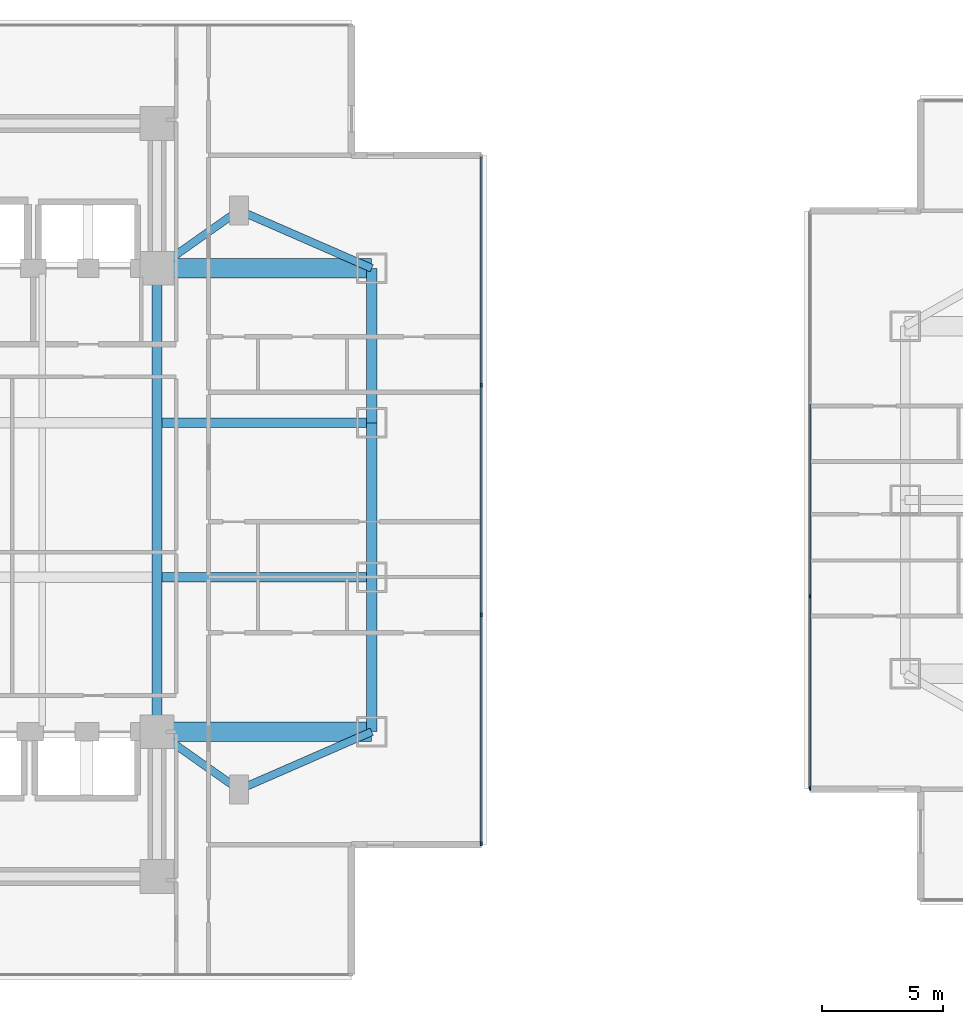
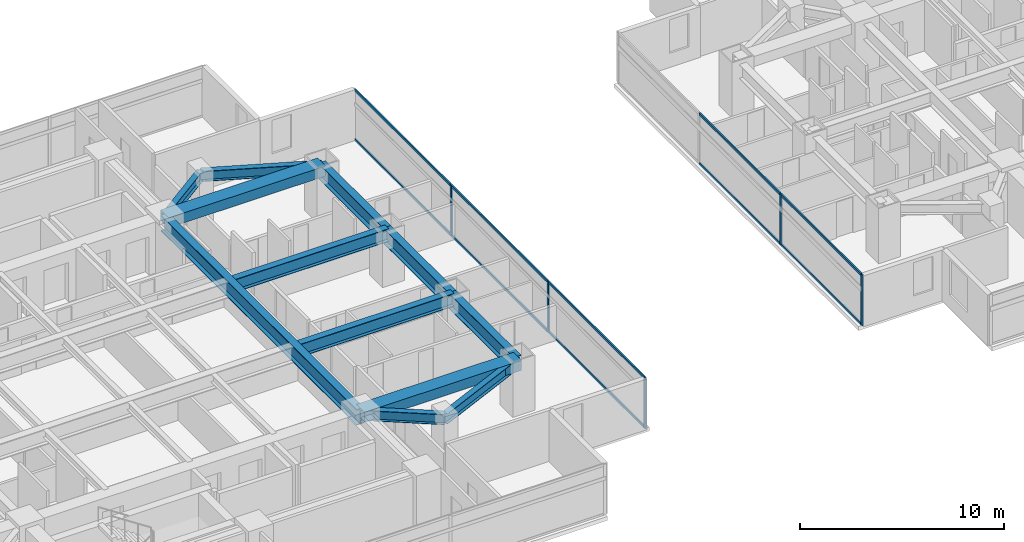
# One storey, part 5 of 26: 15 members, 12 beams, 2 elements without a shape of their own.
"""IFC4 building model written with IfcOpenShell, lengths in metres."""

import ifcopenshell
import ifcopenshell.guid

model = None  # the IFC model being written
_history = None  # IfcOwnerHistory: only IFC2X3 demands one
_inside = {}  # id of a spatial element -> (the spatial element, [elements in it])
_under = {}  # id of a project, library or spatial element -> (it, [spatial elements below it])
_declared = {}  # id of a project -> (the project, [libraries it declares])
_typed = {}  # id of a type object -> (the type object, [elements of that type])
_made_of = {}  # id of a material, layer set ... -> (it, [elements and type objects made of it])


def new_model(schema):
    """Start an empty IFC model of exactly this schema.

    Asked for "IFC4X3", IfcOpenShell would pick the latest addendum, in which some entities
    have other attributes; the version numbers below select the first issue.
    IFC2X3 requires an IfcOwnerHistory on every rooted entity: one is made here for all.
    """
    global model, _history
    if schema == "IFC4X3":
        model = ifcopenshell.file(schema_version=(4, 3, 0, 0))
    else:
        model = ifcopenshell.file(schema=schema)
    _inside.clear()
    _under.clear()
    _declared.clear()
    _typed.clear()
    _made_of.clear()
    _history = None
    if model.schema == "IFC2X3":
        org = make("IfcOrganization", Name="unknown")
        user = make(
            "IfcPersonAndOrganization",
            ThePerson=make("IfcPerson", FamilyName="unknown"),
            TheOrganization=org,
        )
        app = make(
            "IfcApplication",
            ApplicationDeveloper=org,
            Version="unknown",
            ApplicationFullName="unknown",
            ApplicationIdentifier="unknown",
        )
        _history = make(
            "IfcOwnerHistory",
            OwningUser=user,
            OwningApplication=app,
            ChangeAction="ADDED",
            CreationDate=0,
        )
    return model


def make(cls, **values):
    """One entity of the class cls with the attributes given. An attribute that is None is left unset."""
    return model.create_entity(
        cls, **{name: value for name, value in values.items() if value is not None}
    )


def rooted(cls, **values):
    """An entity with a GlobalId (a new one), such as an element, a storey or a relation."""
    return make(cls, GlobalId=ifcopenshell.guid.new(), OwnerHistory=_history, **values)


def si_unit(unit_type, name, prefix=None):
    """IfcSIUnit, for example si_unit("LENGTHUNIT", "METRE", prefix="MILLI")."""
    return make("IfcSIUnit", UnitType=unit_type, Prefix=prefix, Name=name)


def assignment(units):
    """IfcUnitAssignment: the units of a project."""
    return None if units is None else make("IfcUnitAssignment", Units=units)


def point(xyz):
    """IfcCartesianPoint."""
    return None if xyz is None else make("IfcCartesianPoint", Coordinates=xyz)


def direction(xyz):
    """IfcDirection."""
    return None if xyz is None else make("IfcDirection", DirectionRatios=xyz)


def frame(location, z_axis=None, x_axis=None):
    """IfcAxis2Placement3D, a coordinate frame: its origin and axes. An axis left out is left unset."""
    return make(
        "IfcAxis2Placement3D",
        Location=point(location),
        Axis=direction(z_axis),
        RefDirection=direction(x_axis),
    )


def frame_2d(location, x_axis=None):
    """IfcAxis2Placement2D, a coordinate frame in the plane: its origin and x axis."""
    return make(
        "IfcAxis2Placement2D", Location=point(location), RefDirection=direction(x_axis)
    )


def origin():
    """The frame at (0, 0, 0) with its axes left unset."""
    return frame((0.0, 0.0, 0.0))


def origin_2d():
    """The frame at (0, 0) in the plane with its x axis left unset."""
    return frame_2d((0.0, 0.0))


def place(relative_to, where):
    """IfcLocalPlacement: puts the frame where relative to a parent placement (None: the world)."""
    return make(
        "IfcLocalPlacement", PlacementRelTo=relative_to, RelativePlacement=where
    )


def context(
    kind, dimensions, precision=None, world=None, true_north=None, identifier=None
):
    """IfcGeometricRepresentationContext, for example the 3D "Model" context."""
    return make(
        "IfcGeometricRepresentationContext",
        ContextIdentifier=identifier,
        ContextType=kind,
        CoordinateSpaceDimension=dimensions,
        Precision=precision,
        WorldCoordinateSystem=world,
        TrueNorth=true_north,
    )


def subcontext(parent, identifier, kind, view, scale=None):
    """IfcGeometricRepresentationSubContext, for example "Body" below "Model"."""
    return make(
        "IfcGeometricRepresentationSubContext",
        ContextIdentifier=identifier,
        ContextType=kind,
        ParentContext=parent,
        TargetScale=scale,
        TargetView=view,
    )


def project(units=None, contexts=None):
    """IfcProject with its units and contexts."""
    return rooted(
        "IfcProject",
        Name="project",
        RepresentationContexts=contexts,
        UnitsInContext=assignment(units),
    )


def spatial(cls, under=None, at=None, **own):
    """A site, building, storey or space (cls), placed at a placement, below another one or the project."""
    s = rooted(cls, ObjectPlacement=at, **own)
    if under is not None:
        _under.setdefault(under.id(), (under, []))[1].append(s)
    return s


def profile(cls, at=None, kind="AREA", **sizes):
    """A parametric profile (cls). Its sizes go by their IFC names, for example OverallWidth=200.0."""
    return make(cls, ProfileType=kind, Position=at, **sizes)


def rectangle(**sizes):
    """IfcRectangleProfileDef."""
    return profile("IfcRectangleProfileDef", **sizes)


def i_section(**sizes):
    """IfcIShapeProfileDef."""
    return profile("IfcIShapeProfileDef", **sizes)


def extrude(swept, where, along, depth):
    """IfcExtrudedAreaSolid: the profile swept, set in the frame where, extruded along a direction by depth."""
    return make(
        "IfcExtrudedAreaSolid",
        SweptArea=swept,
        Position=where,
        ExtrudedDirection=direction(along),
        Depth=depth,
    )


def shape(context_of_items, identifier, shape_type, items):
    """IfcShapeRepresentation: the items that make up one representation, for example the "Body"."""
    return make(
        "IfcShapeRepresentation",
        ContextOfItems=context_of_items,
        RepresentationIdentifier=identifier,
        RepresentationType=shape_type,
        Items=items,
    )


def material(Name=None, Category=None):
    """IfcMaterial."""
    return make("IfcMaterial", Name=Name, Category=Category)


def material_profile(
    of_material, cross_section, Name=None, Category=None, Priority=None
):
    """IfcMaterialProfile: a cross section and its material."""
    return make(
        "IfcMaterialProfile",
        Name=Name,
        Material=of_material,
        Profile=cross_section,
        Priority=Priority,
        Category=Category,
    )


def profile_set(profiles, Name=None, composite=None):
    """IfcMaterialProfileSet."""
    return make(
        "IfcMaterialProfileSet",
        Name=Name,
        MaterialProfiles=profiles,
        CompositeProfile=composite,
    )


def made_of(thing, what):
    """Note that an element or type object is made of a material, layer set ...; save() writes the relation."""
    if what is not None:
        _made_of.setdefault(what.id(), (what, []))[1].append(thing)
    return thing


def type_object(cls, material=None, **own):
    """A type object (cls), such as IfcWallType, which elements share."""
    return made_of(rooted(cls, **own), material)


def element(
    cls,
    number,
    at=None,
    inside=None,
    cuts=None,
    type_object=None,
    material=None,
    context=None,
    identifier="Body",
    shape_type=None,
    held_by="IfcProductDefinitionShape",
    body=None,
    shapes=None,
    **own,
):
    """One element of the class cls, such as IfcWall. Its Tag is "e" and its number.

    at: its placement. inside: the storey or other place that contains it. cuts: it is an
    opening in that element (IfcRelVoidsElement). A single representation is given by context,
    identifier, shape_type and body (its items); several are given by shapes. held_by: the class
    of the entity that holds the representations. save() writes the other relations.
    """
    e = rooted(cls, Tag="e%d" % number, ObjectPlacement=at, **own)
    if body is not None:
        shapes = [shape(context, identifier, shape_type, body)]
    if shapes is not None:
        e.Representation = make(held_by, Representations=shapes)
    if inside is not None:
        _inside.setdefault(inside.id(), (inside, []))[1].append(e)
    if cuts is not None:
        rooted(
            "IfcRelVoidsElement", RelatingBuildingElement=cuts, RelatedOpeningElement=e
        )
    if type_object is not None:
        _typed.setdefault(type_object.id(), (type_object, []))[1].append(e)
    return made_of(e, material)


def aggregate(whole, parts):
    """IfcRelAggregates: a whole, such as a stair, and the parts it consists of."""
    return rooted("IfcRelAggregates", RelatingObject=whole, RelatedObjects=parts)


def save(model, path):
    """Write the relations noted so far, then the file.

    IfcRelAggregates (storeys below a building ...), IfcRelContainedInSpatialStructure (elements
    in a storey), IfcRelDefinesByType, IfcRelAssociatesMaterial and IfcRelDeclares: one each for
    every whole, place, type object, material and project.
    """
    for whole, parts in _under.values():
        aggregate(whole, parts)
    for where, things in _inside.values():
        rooted(
            "IfcRelContainedInSpatialStructure",
            RelatedElements=things,
            RelatingStructure=where,
        )
    for kind, things in _typed.values():
        rooted("IfcRelDefinesByType", RelatedObjects=things, RelatingType=kind)
    for what, things in _made_of.values():
        rooted("IfcRelAssociatesMaterial", RelatedObjects=things, RelatingMaterial=what)
    for by, libraries in _declared.values():
        rooted("IfcRelDeclares", RelatingContext=by, RelatedDefinitions=libraries)
    model.write(path)


model = new_model("IFC4")

# Units and contexts
model_context = context("Model", 3, precision=1e-05, world=origin(), true_north=direction((0.0, 1.0)))
body_context = subcontext(model_context, "Body", "Model", "MODEL_VIEW")
ifc_project = project(units=[si_unit("LENGTHUNIT", "METRE"), si_unit("AREAUNIT", "SQUARE_METRE"), si_unit("VOLUMEUNIT", "CUBIC_METRE"), si_unit("PLANEANGLEUNIT", "RADIAN"), si_unit("MASSUNIT", "GRAM", prefix="KILO")], contexts=[model_context])

# Site, building, storey
site_placement = place(None, origin())
site = spatial("IfcSite", under=ifc_project, at=site_placement, CompositionType="ELEMENT")
building_placement = place(site_placement, origin())
building = spatial("IfcBuilding", under=site, at=building_placement, Name="Mirazonda Arch Towers", CompositionType="ELEMENT")
storey_placement = place(building_placement, frame((0.0, 0.0, 45.5)))
storey = spatial("IfcBuildingStorey", under=building, at=storey_placement, Name="L12", CompositionType="ELEMENT", Elevation=45.5)

# Beams
ifc_material_1 = material(Name="Steel ASTM A992 Grade 50", Category="steel")
ifc_material_profile_1 = material_profile(ifc_material_1, i_section(OverallWidth=0.41796875, OverallDepth=0.927001953125, WebThickness=0.019287109375, FlangeThickness=0.031982421875, at=origin_2d()), Name="W36X231")
ifc_profile_set_1 = profile_set([ifc_material_profile_1], Name="Steel ASTM A992 Grade 50")
beam_type_1 = type_object("IfcBeamType", Name="BM-EXT-W36X231", PredefinedType="USERDEFINED", material=ifc_profile_set_1)
beam_1_placement = place(storey_placement, frame((38.89990234375, 18.39990234375, 2.596435546875), z_axis=(0.0, 1.0, 0.0), x_axis=(-1.0, 0.0, 0.0)))
element("IfcBeam", 1, at=beam_1_placement, inside=storey, type_object=beam_type_1, Name="L12 Floor Beam BM-T1-L12-NS-E-18", ObjectType="GIRDER", PredefinedType="USERDEFINED", context=body_context, shape_type="SweptSolid", body=[
    extrude(i_section(OverallWidth=0.41796875, OverallDepth=0.927001953125, WebThickness=0.019287109375, FlangeThickness=0.031982421875, at=origin_2d()), origin(), (0.0, 0.0, 1.0), 6.400146484375),
])
beam_2_placement = place(storey_placement, frame((38.89990234375, 24.800048828125, 2.596435546875), z_axis=(0.0, 1.0, 0.0), x_axis=(-1.0, 0.0, 0.0)))
element("IfcBeam", 2, at=beam_2_placement, inside=storey, type_object=beam_type_1, Name="L12 Floor Beam BM-T1-L12-NS-E-24", ObjectType="GIRDER", PredefinedType="USERDEFINED", context=body_context, shape_type="SweptSolid", body=[
    extrude(i_section(OverallWidth=0.41796875, OverallDepth=0.927001953125, WebThickness=0.019287109375, FlangeThickness=0.031982421875, at=origin_2d()), origin(), (0.0, 0.0, 1.0), 6.39990234375),
])
beam_3_placement = place(storey_placement, frame((38.89990234375, 31.199951171875, 2.596435546875), z_axis=(0.0, 1.0, 0.0), x_axis=(-1.0, 0.0, 0.0)))
element("IfcBeam", 3, at=beam_3_placement, inside=storey, type_object=beam_type_1, Name="L12 Floor Beam BM-T1-L12-NS-E-31", ObjectType="GIRDER", PredefinedType="USERDEFINED", context=body_context, shape_type="SweptSolid", body=[
    extrude(i_section(OverallWidth=0.41796875, OverallDepth=0.927001953125, WebThickness=0.019287109375, FlangeThickness=0.031982421875, at=origin_2d()), origin(), (0.0, 0.0, 1.0), 6.400146484375),
])
ifc_material_profile_2 = material_profile(ifc_material_1, i_section(OverallWidth=0.324951171875, OverallDepth=0.615966796875, WebThickness=0.013916015625, FlangeThickness=0.021484375, at=origin_2d()), Name="W24X117")
ifc_profile_set_2 = profile_set([ifc_material_profile_2], Name="Steel ASTM A992 Grade 50")
beam_type_2 = type_object("IfcBeamType", Name="BM-INT-W24X117", PredefinedType="BEAM", material=ifc_profile_set_2)
beam_4_placement = place(storey_placement, frame((33.39990234375, 16.0, 2.751953125), z_axis=(-0.816971114901, 0.576678591087, 0.0), x_axis=(-0.576678591087, -0.816971114901, 0.0)))
element("IfcBeam", 4, at=beam_4_placement, inside=storey, type_object=beam_type_2, Name="L12 Floor Beam BM-T1-L12-PL-SE1", PredefinedType="BEAM", context=body_context, shape_type="SweptSolid", body=[
    extrude(i_section(OverallWidth=0.324951171875, OverallDepth=0.615966796875, WebThickness=0.013916015625, FlangeThickness=0.021484375, at=origin_2d()), origin(), (0.0, 0.0, 1.0), 4.16162109375),
])
beam_5_placement = place(storey_placement, frame((33.39990234375, 16.0, 2.751953125), z_axis=(0.916545343703, 0.399930785183, 0.0), x_axis=(-0.399930785183, 0.916545343703, 0.0)))
element("IfcBeam", 5, at=beam_5_placement, inside=storey, type_object=beam_type_2, Name="L12 Floor Beam BM-T1-L12-PL-SE2", PredefinedType="BEAM", context=body_context, shape_type="SweptSolid", body=[
    extrude(i_section(OverallWidth=0.324951171875, OverallDepth=0.615966796875, WebThickness=0.013916015625, FlangeThickness=0.021484375, at=origin_2d()), origin(), (0.0, 0.0, 1.0), 6.000732421875),
])
beam_6_placement = place(storey_placement, frame((33.39990234375, 40.0, 2.751953125), z_axis=(-0.816971114901, -0.576678591087, 0.0), x_axis=(0.576678591087, -0.816971114901, 0.0)))
element("IfcBeam", 6, at=beam_6_placement, inside=storey, type_object=beam_type_2, Name="L12 Floor Beam BM-T1-L12-PL-NE1", PredefinedType="BEAM", context=body_context, shape_type="SweptSolid", body=[
    extrude(i_section(OverallWidth=0.324951171875, OverallDepth=0.615966796875, WebThickness=0.013916015625, FlangeThickness=0.021484375, at=origin_2d()), origin(), (0.0, 0.0, 1.0), 4.16162109375),
])
beam_7_placement = place(storey_placement, frame((33.39990234375, 40.0, 2.751953125), z_axis=(0.916545343703, -0.399930785183, 0.0), x_axis=(0.399930785183, 0.916545343703, 0.0)))
element("IfcBeam", 7, at=beam_7_placement, inside=storey, type_object=beam_type_2, Name="L12 Floor Beam BM-T1-L12-PL-NE2", PredefinedType="BEAM", context=body_context, shape_type="SweptSolid", body=[
    extrude(i_section(OverallWidth=0.324951171875, OverallDepth=0.615966796875, WebThickness=0.013916015625, FlangeThickness=0.021484375, at=origin_2d()), origin(), (0.0, 0.0, 1.0), 6.000732421875),
])
ifc_material_profile_3 = material_profile(ifc_material_1, i_section(OverallWidth=0.381103515625, OverallDepth=0.77294921875, WebThickness=0.0166015625, FlangeThickness=0.027099609375, at=origin_2d()), Name="W30X173")
ifc_profile_set_3 = profile_set([ifc_material_profile_3], Name="Steel ASTM A992 Grade 50")
beam_type_3 = type_object("IfcBeamType", Name="BM-INT-W30X173", PredefinedType="USERDEFINED", material=ifc_profile_set_3)
for number, where, z_axis, x_axis, name in (
    (8, (30.21142578125, 24.800048828125, 2.673583984375), (1.0, 0.0, 0.0), (0.0, 1.0, 0.0), "L12 Floor Beam BM-T1-L12-GE2"),
    (9, (30.21142578125, 31.199951171875, 2.673583984375), (1.0, 0.0, 0.0), (0.0, 1.0, 0.0), "L12 Floor Beam BM-T1-L12-GE3"),
):
    element("IfcBeam", number, at=place(storey_placement, frame(where, z_axis=z_axis, x_axis=x_axis)), inside=storey, type_object=beam_type_3, Name=name, ObjectType="GIRDER", PredefinedType="USERDEFINED", context=body_context, shape_type="SweptSolid", body=[
        extrude(i_section(OverallWidth=0.381103515625, OverallDepth=0.77294921875, WebThickness=0.0166015625, FlangeThickness=0.027099609375, at=origin_2d()), origin(), (0.0, 0.0, 1.0), 8.6884765625),
    ])
ifc_material_profile_4 = material_profile(ifc_material_1, i_section(OverallWidth=0.423095703125, OverallDepth=0.947998046875, WebThickness=0.02392578125, FlangeThickness=0.042724609375, at=origin_2d()), Name="W36X302")
ifc_profile_set_4 = profile_set([ifc_material_profile_4], Name="Steel ASTM A992 Grade 50")
beam_type_4 = type_object("IfcBeamType", Name="BM-INT-W36X302", PredefinedType="USERDEFINED", material=ifc_profile_set_4)
beam_8_placement = place(storey_placement, frame((30.0, 18.39990234375, 2.5859375), z_axis=(0.0, 1.0, 0.0), x_axis=(-1.0, 0.0, 0.0)))
element("IfcBeam", 10, at=beam_8_placement, inside=storey, type_object=beam_type_4, Name="L12 Floor Beam BM-T1-L12-NS-CE-FULL", ObjectType="GIRDER", PredefinedType="USERDEFINED", context=body_context, shape_type="SweptSolid", body=[
    extrude(i_section(OverallWidth=0.423095703125, OverallDepth=0.947998046875, WebThickness=0.02392578125, FlangeThickness=0.042724609375, at=origin_2d()), origin(), (0.0, 0.0, 1.0), 19.2001953125),
])
ifc_material_2 = material(Name="Concrete C60/75", Category="concrete")
ifc_material_profile_5 = material_profile(ifc_material_2, rectangle(XDim=0.800048828125, YDim=0.60009765625, at=origin_2d()), Name="RCCB800x600")
ifc_profile_set_5 = profile_set([ifc_material_profile_5], Name="Concrete C60/75")
beam_type_5 = type_object("IfcBeamType", Name="CB-INT-RCCB800x600", PredefinedType="SPANDREL", material=ifc_profile_set_5)
for number, where, z_axis, x_axis, name in (
    (11, (30.0, 37.60009765625, 2.760009765625), (1.0, 0.0, 0.0), (0.0, 1.0, 0.0), "L12 Floor Beam CBC-T1-L12-NE"),
    (12, (30.0, 18.39990234375, 2.760009765625), (1.0, 0.0, 0.0), (0.0, 1.0, 0.0), "L12 Floor Beam CBC-T1-L12-SE"),
):
    element("IfcBeam", number, at=place(storey_placement, frame(where, z_axis=z_axis, x_axis=x_axis)), inside=storey, type_object=beam_type_5, Name=name, PredefinedType="SPANDREL", context=body_context, shape_type="SweptSolid", body=[
        extrude(rectangle(XDim=0.800048828125, YDim=0.60009765625, at=origin_2d()), origin(), (0.0, 0.0, 1.0), 8.89990234375),
    ])

# Curtain wall, members
ifc_material_3 = material(Name="Anodised Aluminium and Low-E Glass", Category="aluminium")
curtain_wall_type = type_object("IfcCurtainWallType", Name="CW-HTL-UNIT", PredefinedType="NOTDEFINED", material=ifc_material_3)
curtain_wall_1_placement = place(storey_placement, origin())
curtain_wall_1 = element("IfcCurtainWall", 13, at=curtain_wall_1_placement, inside=storey, type_object=curtain_wall_type, Name="L12 T1 E Facade CW-L12-T1-E", PredefinedType="NOTDEFINED")
ifc_material_4 = material(Name="Anodised Aluminium Alloy", Category="aluminium")
ifc_material_profile_6 = material_profile(ifc_material_4, rectangle(XDim=0.074951171875, YDim=0.1650390625, at=origin_2d()), Name="ALU-MULL-75x165")
ifc_profile_set_6 = profile_set([ifc_material_profile_6], Name="Anodised Aluminium Alloy")
member_type_1 = type_object("IfcMemberType", Name="MULL-CW-HTL-UNIT", PredefinedType="MULLION", material=ifc_profile_set_6)
member_1_placement = place(storey_placement, frame((43.43994140625, 13.75146484375, 0.0), z_axis=(0.0, 0.0, 1.0), x_axis=(-1.0, 0.0, 0.0)))
member_1 = element("IfcMember", 14, at=member_1_placement, type_object=member_type_1, Name="CW-112 mullion 1", PredefinedType="MULLION", context=body_context, shape_type="SweptSolid", body=[
    extrude(rectangle(XDim=0.074951171875, YDim=0.1650390625, at=origin_2d()), origin(), (0.0, 0.0, 1.0), 3.0400390625),
])
member_2_placement = place(storey_placement, frame((43.43994140625, 23.238037109375, 0.0), z_axis=(0.0, 0.0, 1.0), x_axis=(-1.0, 0.0, 0.0)))
member_2 = element("IfcMember", 15, at=member_2_placement, type_object=member_type_1, Name="CW-112 mullion 2", PredefinedType="MULLION", context=body_context, shape_type="SweptSolid", body=[
    extrude(rectangle(XDim=0.074951171875, YDim=0.1650390625, at=origin_2d()), origin(), (0.0, 0.0, 1.0), 3.0400390625),
])
member_3_placement = place(storey_placement, frame((43.43994140625, 32.761962890625, 0.0), z_axis=(0.0, 0.0, 1.0), x_axis=(-1.0, 0.0, 0.0)))
member_3 = element("IfcMember", 16, at=member_3_placement, type_object=member_type_1, Name="CW-112 mullion 3", PredefinedType="MULLION", context=body_context, shape_type="SweptSolid", body=[
    extrude(rectangle(XDim=0.074951171875, YDim=0.1650390625, at=origin_2d()), origin(), (0.0, 0.0, 1.0), 3.0400390625),
])

curtain_wall_2_placement = place(storey_placement, origin())
curtain_wall_2 = element("IfcCurtainWall", 17, at=curtain_wall_2_placement, inside=storey, type_object=curtain_wall_type, Name="L12 T2 W Facade CW-L12-T2-W", PredefinedType="NOTDEFINED")
member_4_placement = place(storey_placement, frame((57.053955078125, 24.005615234375, 0.0), z_axis=(0.0, 0.0, 1.0), x_axis=(1.0, 0.0, 0.0)))
member_4 = element("IfcMember", 18, at=member_4_placement, type_object=member_type_1, Name="CW-112 mullion 3", PredefinedType="MULLION", context=body_context, shape_type="SweptSolid", body=[
    extrude(rectangle(XDim=0.074951171875, YDim=0.1650390625, at=origin_2d()), origin(), (0.0, 0.0, 1.0), 3.0400390625),
])
member_5_placement = place(storey_placement, frame((57.053955078125, 16.054443359375, 0.0), z_axis=(0.0, 0.0, 1.0), x_axis=(1.0, 0.0, 0.0)))
member_5 = element("IfcMember", 19, at=member_5_placement, type_object=member_type_1, Name="CW-112 mullion 4", PredefinedType="MULLION", context=body_context, shape_type="SweptSolid", body=[
    extrude(rectangle(XDim=0.074951171875, YDim=0.1650390625, at=origin_2d()), origin(), (0.0, 0.0, 1.0), 3.0400390625),
])

# Member
ifc_material_profile_7 = material_profile(ifc_material_4, rectangle(XDim=0.074951171875, YDim=0.14501953125, at=origin_2d()), Name="ALU-TRAN-75x145")
ifc_profile_set_7 = profile_set([ifc_material_profile_7], Name="Anodised Aluminium Alloy")
member_type_2 = type_object("IfcMemberType", Name="TRAN-CW-HTL-UNIT", PredefinedType="USERDEFINED", material=ifc_profile_set_7)
member_6_placement = place(storey_placement, frame((43.43994140625, 13.7890625, 0.03759765625), z_axis=(0.0, 1.0, 0.0), x_axis=(-1.0, 0.0, 0.0)))
member_6 = element("IfcMember", 20, at=member_6_placement, type_object=member_type_2, Name="CW-112 transom 1.1", ObjectType="TRANSOM", PredefinedType="USERDEFINED", context=body_context, shape_type="SweptSolid", body=[
    extrude(rectangle(XDim=0.074951171875, YDim=0.14501953125, at=origin_2d()), origin(), (0.0, 0.0, 1.0), 9.411376953125),
])

member_7_placement = place(storey_placement, frame((43.43994140625, 13.7890625, 3.00244140625), z_axis=(0.0, 1.0, 0.0), x_axis=(-1.0, 0.0, 0.0)))
member_7 = element("IfcMember", 21, at=member_7_placement, type_object=member_type_2, Name="CW-112 transom 1.2", ObjectType="TRANSOM", PredefinedType="USERDEFINED", context=body_context, shape_type="SweptSolid", body=[
    extrude(rectangle(XDim=0.074951171875, YDim=0.14501953125, at=origin_2d()), origin(), (0.0, 0.0, 1.0), 9.411376953125),
])

member_8_placement = place(storey_placement, frame((43.43994140625, 23.275390625, 0.03759765625), z_axis=(0.0, 1.0, 0.0), x_axis=(-1.0, 0.0, 0.0)))
member_8 = element("IfcMember", 22, at=member_8_placement, type_object=member_type_2, Name="CW-112 transom 2.1", ObjectType="TRANSOM", PredefinedType="USERDEFINED", context=body_context, shape_type="SweptSolid", body=[
    extrude(rectangle(XDim=0.074951171875, YDim=0.14501953125, at=origin_2d()), origin(), (0.0, 0.0, 1.0), 9.44921875),
])

member_9_placement = place(storey_placement, frame((43.43994140625, 23.275390625, 3.00244140625), z_axis=(0.0, 1.0, 0.0), x_axis=(-1.0, 0.0, 0.0)))
member_9 = element("IfcMember", 23, at=member_9_placement, type_object=member_type_2, Name="CW-112 transom 2.2", ObjectType="TRANSOM", PredefinedType="USERDEFINED", context=body_context, shape_type="SweptSolid", body=[
    extrude(rectangle(XDim=0.074951171875, YDim=0.14501953125, at=origin_2d()), origin(), (0.0, 0.0, 1.0), 9.44921875),
])

member_10_placement = place(storey_placement, frame((43.43994140625, 32.799560546875, 0.03759765625), z_axis=(0.0, 1.0, 0.0), x_axis=(-1.0, 0.0, 0.0)))
member_10 = element("IfcMember", 24, at=member_10_placement, type_object=member_type_2, Name="CW-112 transom 3.1", ObjectType="TRANSOM", PredefinedType="USERDEFINED", context=body_context, shape_type="SweptSolid", body=[
    extrude(rectangle(XDim=0.074951171875, YDim=0.14501953125, at=origin_2d()), origin(), (0.0, 0.0, 1.0), 9.411376953125),
])

member_11_placement = place(storey_placement, frame((43.43994140625, 32.799560546875, 3.00244140625), z_axis=(0.0, 1.0, 0.0), x_axis=(-1.0, 0.0, 0.0)))
member_11 = element("IfcMember", 25, at=member_11_placement, type_object=member_type_2, Name="CW-112 transom 3.2", ObjectType="TRANSOM", PredefinedType="USERDEFINED", context=body_context, shape_type="SweptSolid", body=[
    extrude(rectangle(XDim=0.074951171875, YDim=0.14501953125, at=origin_2d()), origin(), (0.0, 0.0, 1.0), 9.411376953125),
])

aggregate(curtain_wall_1, [member_1, member_2, member_3, member_6, member_7, member_8, member_9, member_10, member_11])

member_12_placement = place(storey_placement, frame((57.053955078125, 31.956787109375, 0.03759765625), z_axis=(0.0, -1.0, 0.0), x_axis=(1.0, 0.0, 0.0)))
member_12 = element("IfcMember", 26, at=member_12_placement, type_object=member_type_2, Name="CW-112 transom 2.1", ObjectType="TRANSOM", PredefinedType="USERDEFINED", context=body_context, shape_type="SweptSolid", body=[
    extrude(rectangle(XDim=0.074951171875, YDim=0.14501953125, at=origin_2d()), origin(), (0.0, 0.0, 1.0), 7.91357421875),
])

member_13_placement = place(storey_placement, frame((57.053955078125, 31.956787109375, 3.00244140625), z_axis=(0.0, -1.0, 0.0), x_axis=(1.0, 0.0, 0.0)))
member_13 = element("IfcMember", 27, at=member_13_placement, type_object=member_type_2, Name="CW-112 transom 2.2", ObjectType="TRANSOM", PredefinedType="USERDEFINED", context=body_context, shape_type="SweptSolid", body=[
    extrude(rectangle(XDim=0.074951171875, YDim=0.14501953125, at=origin_2d()), origin(), (0.0, 0.0, 1.0), 7.91357421875),
])

member_14_placement = place(storey_placement, frame((57.053955078125, 23.968017578125, 0.03759765625), z_axis=(0.0, -1.0, 0.0), x_axis=(1.0, 0.0, 0.0)))
member_14 = element("IfcMember", 28, at=member_14_placement, type_object=member_type_2, Name="CW-112 transom 3.1", ObjectType="TRANSOM", PredefinedType="USERDEFINED", context=body_context, shape_type="SweptSolid", body=[
    extrude(rectangle(XDim=0.074951171875, YDim=0.14501953125, at=origin_2d()), origin(), (0.0, 0.0, 1.0), 7.876220703125),
])

member_15_placement = place(storey_placement, frame((57.053955078125, 23.968017578125, 3.00244140625), z_axis=(0.0, -1.0, 0.0), x_axis=(1.0, 0.0, 0.0)))
member_15 = element("IfcMember", 29, at=member_15_placement, type_object=member_type_2, Name="CW-112 transom 3.2", ObjectType="TRANSOM", PredefinedType="USERDEFINED", context=body_context, shape_type="SweptSolid", body=[
    extrude(rectangle(XDim=0.074951171875, YDim=0.14501953125, at=origin_2d()), origin(), (0.0, 0.0, 1.0), 7.876220703125),
])

aggregate(curtain_wall_2, [member_4, member_5, member_12, member_13, member_14, member_15])

save(model, "model.ifc")
